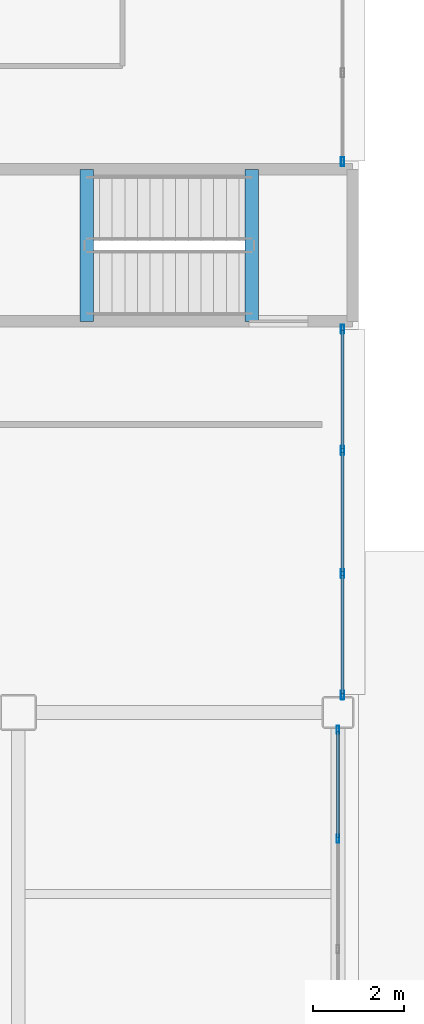
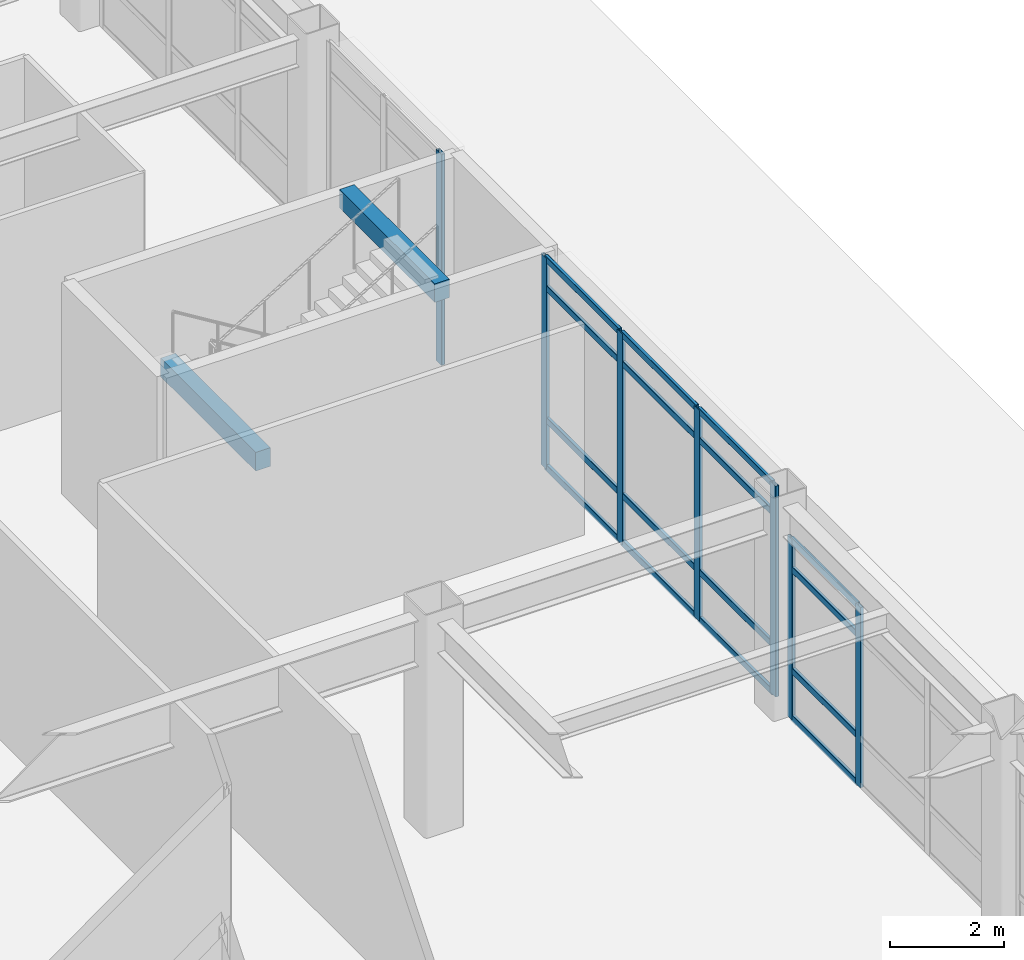
# One storey, part 114 of 172: 23 members, 2 beams, 3 elements without a shape of their own.
"""IFC4 building model written with IfcOpenShell, lengths in metres."""

from ifc_helpers import new_model, si_unit, direction, frame, origin, origin_2d, place, context, subcontext, project, spatial, rectangle, hollow_rectangle, extrude, material, layer, layer_set, material_profile, profile_set, type_object, element, aggregate, save


model = new_model("IFC4")

# Units and contexts
model_context = context("Model", 3, precision=1e-05, world=origin(), true_north=direction((0.0, 1.0)))
body_context = subcontext(model_context, "Body", "Model", "MODEL_VIEW")
ifc_project = project(units=[si_unit("LENGTHUNIT", "METRE"), si_unit("AREAUNIT", "SQUARE_METRE"), si_unit("VOLUMEUNIT", "CUBIC_METRE"), si_unit("PLANEANGLEUNIT", "RADIAN"), si_unit("MASSUNIT", "GRAM", prefix="KILO")], contexts=[model_context])

# Site, building, storey
site_placement = place(None, origin())
site = spatial("IfcSite", under=ifc_project, at=site_placement, CompositionType="ELEMENT")
building_placement = place(site_placement, origin())
building = spatial("IfcBuilding", under=site, at=building_placement, Name="Kazehara Bluff Congress Hotel", CompositionType="ELEMENT")
storey_placement = place(building_placement, frame((0.0, 0.0, 5.39990234375)))
storey = spatial("IfcBuildingStorey", under=building, at=storey_placement, Name="L01", CompositionType="ELEMENT", Elevation=5.39990234375)

# Curtain wall, members
ifc_material_1 = material(Name="Anodised aluminium", Category="aluminium")
ifc_layer_1 = layer(ifc_material_1, 0.159912109375)
ifc_layer_set_1 = layer_set([ifc_layer_1], Name="Anodised aluminium")
curtain_wall_type_1 = type_object("IfcCurtainWallType", Name="TP-CW-80", PredefinedType="NOTDEFINED", material=ifc_layer_set_1)
curtain_wall_1_placement = place(storey_placement, origin())
curtain_wall_1 = element("IfcCurtainWall", 1, at=curtain_wall_1_placement, inside=storey, type_object=curtain_wall_type_1, Name="L01 curtain wall CW-80 CW-V5-L01-X16755-5680", PredefinedType="NOTDEFINED")
ifc_material_2 = material(Name="Anodised aluminium", Category="aluminium")
ifc_material_profile_1 = material_profile(ifc_material_2, hollow_rectangle(XDim=0.06494140625, YDim=0.179931640625, WallThickness=0.00390625, InnerFilletRadius=0.00390625, OuterFilletRadius=0.008056640625, at=origin_2d()))
ifc_profile_set_1 = profile_set([ifc_material_profile_1], Name="Anodised aluminium")
member_type_1 = type_object("IfcMemberType", Name="TP-CWM-02", PredefinedType="MULLION", material=ifc_profile_set_1)
member_1_placement = place(storey_placement, frame((167.550048828125, 61.666748046875, 0.0), z_axis=(0.0, 0.0, 1.0), x_axis=(-1.0, 0.0, 0.0)))
member_1 = element("IfcMember", 2, at=member_1_placement, type_object=member_type_1, Name="CW-80 mullion 3", PredefinedType="MULLION", context=body_context, shape_type="SweptSolid", body=[
    extrude(hollow_rectangle(XDim=0.06494140625, YDim=0.179931640625, WallThickness=0.00390625, InnerFilletRadius=0.00390625, OuterFilletRadius=0.008056640625, at=origin_2d()), origin(), (0.0, 0.0, 1.0), 3.875),
])
member_2_placement = place(storey_placement, frame((167.550048828125, 64.0673828125, 0.0), z_axis=(0.0, 0.0, 1.0), x_axis=(-1.0, 0.0, 0.0)))
member_2 = element("IfcMember", 3, at=member_2_placement, type_object=member_type_1, Name="CW-80 mullion 4", PredefinedType="MULLION", context=body_context, shape_type="SweptSolid", body=[
    extrude(hollow_rectangle(XDim=0.06494140625, YDim=0.179931640625, WallThickness=0.00390625, InnerFilletRadius=0.00390625, OuterFilletRadius=0.008056640625, at=origin_2d()), origin(), (0.0, 0.0, 1.0), 3.875),
])

ifc_material_3 = material(Name="Anodised aluminium", Category="aluminium")
ifc_layer_2 = layer(ifc_material_3, 0.159912109375)
ifc_layer_set_2 = layer_set([ifc_layer_2], Name="Anodised aluminium")
curtain_wall_type_2 = type_object("IfcCurtainWallType", Name="TP-CW-115", PredefinedType="NOTDEFINED", material=ifc_layer_set_2)
curtain_wall_2_placement = place(storey_placement, origin())
curtain_wall_2 = element("IfcCurtainWall", 4, at=curtain_wall_2_placement, inside=storey, type_object=curtain_wall_type_2, Name="L01 curtain wall CW-115 CW-ENC-V5-L01-16765-6887", PredefinedType="NOTDEFINED")
ifc_material_4 = material(Name="Anodised aluminium", Category="aluminium")
ifc_material_profile_2 = material_profile(ifc_material_4, hollow_rectangle(XDim=0.070068359375, YDim=0.199951171875, WallThickness=0.0048828125, InnerFilletRadius=0.0048828125, OuterFilletRadius=0.010009765625, at=origin_2d()))
ifc_profile_set_2 = profile_set([ifc_material_profile_2], Name="Anodised aluminium")
member_type_2 = type_object("IfcMemberType", Name="TP-CWM-03", PredefinedType="MULLION", material=ifc_profile_set_2)
member_3_placement = place(storey_placement, frame((167.64990234375, 72.905029296875, 0.0), z_axis=(0.0, 0.0, 1.0), x_axis=(1.0, 0.0, 0.0)))
member_3 = element("IfcMember", 5, at=member_3_placement, type_object=member_type_2, Name="CW-115 mullion 1", PredefinedType="MULLION", context=body_context, shape_type="SweptSolid", body=[
    extrude(hollow_rectangle(XDim=0.070068359375, YDim=0.199951171875, WallThickness=0.0048828125, InnerFilletRadius=0.0048828125, OuterFilletRadius=0.010009765625, at=origin_2d()), origin(), (0.0, 0.0, 1.0), 4.53515625),
])
member_4_placement = place(storey_placement, frame((167.64990234375, 70.2265625, 0.0), z_axis=(0.0, 0.0, 1.0), x_axis=(1.0, 0.0, 0.0)))
member_4 = element("IfcMember", 6, at=member_4_placement, type_object=member_type_2, Name="CW-115 mullion 2", PredefinedType="MULLION", context=body_context, shape_type="SweptSolid", body=[
    extrude(hollow_rectangle(XDim=0.070068359375, YDim=0.199951171875, WallThickness=0.0048828125, InnerFilletRadius=0.0048828125, OuterFilletRadius=0.010009765625, at=origin_2d()), origin(), (0.0, 0.0, 1.0), 4.53515625),
])
member_5_placement = place(storey_placement, frame((167.64990234375, 67.513427734375, 0.0), z_axis=(0.0, 0.0, 1.0), x_axis=(1.0, 0.0, 0.0)))
member_5 = element("IfcMember", 7, at=member_5_placement, type_object=member_type_2, Name="CW-115 mullion 3", PredefinedType="MULLION", context=body_context, shape_type="SweptSolid", body=[
    extrude(hollow_rectangle(XDim=0.070068359375, YDim=0.199951171875, WallThickness=0.0048828125, InnerFilletRadius=0.0048828125, OuterFilletRadius=0.010009765625, at=origin_2d()), origin(), (0.0, 0.0, 1.0), 4.53515625),
])
member_6_placement = place(storey_placement, frame((167.64990234375, 64.8349609375, 0.0), z_axis=(0.0, 0.0, 1.0), x_axis=(1.0, 0.0, 0.0)))
member_6 = element("IfcMember", 8, at=member_6_placement, type_object=member_type_2, Name="CW-115 mullion 4", PredefinedType="MULLION", context=body_context, shape_type="SweptSolid", body=[
    extrude(hollow_rectangle(XDim=0.070068359375, YDim=0.199951171875, WallThickness=0.0048828125, InnerFilletRadius=0.0048828125, OuterFilletRadius=0.010009765625, at=origin_2d()), origin(), (0.0, 0.0, 1.0), 4.53515625),
])

# Curtain wall, member
ifc_material_5 = material(Name="Anodised aluminium", Category="aluminium")
ifc_layer_3 = layer(ifc_material_5, 0.159912109375)
ifc_layer_set_3 = layer_set([ifc_layer_3], Name="Anodised aluminium")
curtain_wall_type_3 = type_object("IfcCurtainWallType", Name="TP-CW-116", PredefinedType="NOTDEFINED", material=ifc_layer_set_3)
curtain_wall_3_placement = place(storey_placement, origin())
curtain_wall_3 = element("IfcCurtainWall", 9, at=curtain_wall_3_placement, inside=storey, type_object=curtain_wall_type_3, Name="L01 curtain wall CW-116 CW-ENC-V5-L01-16765-7856", PredefinedType="NOTDEFINED")
member_7_placement = place(storey_placement, frame((167.64990234375, 76.594970703125, 0.0), z_axis=(0.0, 0.0, 1.0), x_axis=(1.0, 0.0, 0.0)))
member_7 = element("IfcMember", 10, at=member_7_placement, type_object=member_type_2, Name="CW-116 mullion 3", PredefinedType="MULLION", context=body_context, shape_type="SweptSolid", body=[
    extrude(hollow_rectangle(XDim=0.070068359375, YDim=0.199951171875, WallThickness=0.0048828125, InnerFilletRadius=0.0048828125, OuterFilletRadius=0.010009765625, at=origin_2d()), origin(), (0.0, 0.0, 1.0), 4.53515625),
])
aggregate(curtain_wall_3, [member_7])

# Member
ifc_material_6 = material(Name="Anodised aluminium", Category="aluminium")
ifc_material_profile_3 = material_profile(ifc_material_6, hollow_rectangle(XDim=0.06494140625, YDim=0.139892578125, WallThickness=0.00390625, InnerFilletRadius=0.00390625, OuterFilletRadius=0.008056640625, at=origin_2d()))
ifc_profile_set_3 = profile_set([ifc_material_profile_3], Name="Anodised aluminium")
member_type_3 = type_object("IfcMemberType", Name="TP-CWT-02", PredefinedType="USERDEFINED", material=ifc_profile_set_3)
member_8_placement = place(storey_placement, frame((167.550048828125, 61.69921875, 0.03271484375), z_axis=(0.0, 1.0, 0.0), x_axis=(-1.0, 0.0, 0.0)))
member_8 = element("IfcMember", 11, at=member_8_placement, type_object=member_type_3, Name="CW-80 transom 3.1", ObjectType="TRANSOM", PredefinedType="USERDEFINED", context=body_context, shape_type="SweptSolid", body=[
    extrude(hollow_rectangle(XDim=0.06494140625, YDim=0.139892578125, WallThickness=0.00390625, InnerFilletRadius=0.00390625, OuterFilletRadius=0.008056640625, at=origin_2d()), origin(), (0.0, 0.0, 1.0), 2.335693359375),
])

member_9_placement = place(storey_placement, frame((167.550048828125, 61.69921875, 1.050048828125), z_axis=(0.0, 1.0, 0.0), x_axis=(-1.0, 0.0, 0.0)))
member_9 = element("IfcMember", 12, at=member_9_placement, type_object=member_type_3, Name="CW-80 transom 3.2", ObjectType="TRANSOM", PredefinedType="USERDEFINED", context=body_context, shape_type="SweptSolid", body=[
    extrude(hollow_rectangle(XDim=0.06494140625, YDim=0.139892578125, WallThickness=0.00390625, InnerFilletRadius=0.00390625, OuterFilletRadius=0.008056640625, at=origin_2d()), origin(), (0.0, 0.0, 1.0), 2.335693359375),
])

member_10_placement = place(storey_placement, frame((167.550048828125, 61.69921875, 3.22509765625), z_axis=(0.0, 1.0, 0.0), x_axis=(-1.0, 0.0, 0.0)))
member_10 = element("IfcMember", 13, at=member_10_placement, type_object=member_type_3, Name="CW-80 transom 3.3", ObjectType="TRANSOM", PredefinedType="USERDEFINED", context=body_context, shape_type="SweptSolid", body=[
    extrude(hollow_rectangle(XDim=0.06494140625, YDim=0.139892578125, WallThickness=0.00390625, InnerFilletRadius=0.00390625, OuterFilletRadius=0.008056640625, at=origin_2d()), origin(), (0.0, 0.0, 1.0), 2.335693359375),
])

member_11_placement = place(storey_placement, frame((167.550048828125, 61.69921875, 3.842529296875), z_axis=(0.0, 1.0, 0.0), x_axis=(-1.0, 0.0, 0.0)))
member_11 = element("IfcMember", 14, at=member_11_placement, type_object=member_type_3, Name="CW-80 transom 3.4", ObjectType="TRANSOM", PredefinedType="USERDEFINED", context=body_context, shape_type="SweptSolid", body=[
    extrude(hollow_rectangle(XDim=0.06494140625, YDim=0.139892578125, WallThickness=0.00390625, InnerFilletRadius=0.00390625, OuterFilletRadius=0.008056640625, at=origin_2d()), origin(), (0.0, 0.0, 1.0), 2.335693359375),
])

aggregate(curtain_wall_1, [member_1, member_2, member_8, member_9, member_10, member_11])

member_12_placement = place(storey_placement, frame((167.64990234375, 72.8701171875, 0.03271484375), z_axis=(0.0, -1.0, 0.0), x_axis=(1.0, 0.0, 0.0)))
member_12 = element("IfcMember", 15, at=member_12_placement, type_object=member_type_3, Name="CW-115 transom 1.1", ObjectType="TRANSOM", PredefinedType="USERDEFINED", context=body_context, shape_type="SweptSolid", body=[
    extrude(hollow_rectangle(XDim=0.06494140625, YDim=0.139892578125, WallThickness=0.00390625, InnerFilletRadius=0.00390625, OuterFilletRadius=0.008056640625, at=origin_2d()), origin(), (0.0, 0.0, 1.0), 2.6083984375),
])

member_13_placement = place(storey_placement, frame((167.64990234375, 72.8701171875, 1.050048828125), z_axis=(0.0, -1.0, 0.0), x_axis=(1.0, 0.0, 0.0)))
member_13 = element("IfcMember", 16, at=member_13_placement, type_object=member_type_3, Name="CW-115 transom 1.2", ObjectType="TRANSOM", PredefinedType="USERDEFINED", context=body_context, shape_type="SweptSolid", body=[
    extrude(hollow_rectangle(XDim=0.06494140625, YDim=0.139892578125, WallThickness=0.00390625, InnerFilletRadius=0.00390625, OuterFilletRadius=0.008056640625, at=origin_2d()), origin(), (0.0, 0.0, 1.0), 2.6083984375),
])

member_14_placement = place(storey_placement, frame((167.64990234375, 72.8701171875, 3.885009765625), z_axis=(0.0, -1.0, 0.0), x_axis=(1.0, 0.0, 0.0)))
member_14 = element("IfcMember", 17, at=member_14_placement, type_object=member_type_3, Name="CW-115 transom 1.3", ObjectType="TRANSOM", PredefinedType="USERDEFINED", context=body_context, shape_type="SweptSolid", body=[
    extrude(hollow_rectangle(XDim=0.06494140625, YDim=0.139892578125, WallThickness=0.00390625, InnerFilletRadius=0.00390625, OuterFilletRadius=0.008056640625, at=origin_2d()), origin(), (0.0, 0.0, 1.0), 2.6083984375),
])

member_15_placement = place(storey_placement, frame((167.64990234375, 72.8701171875, 4.502685546875), z_axis=(0.0, -1.0, 0.0), x_axis=(1.0, 0.0, 0.0)))
member_15 = element("IfcMember", 18, at=member_15_placement, type_object=member_type_3, Name="CW-115 transom 1.4", ObjectType="TRANSOM", PredefinedType="USERDEFINED", context=body_context, shape_type="SweptSolid", body=[
    extrude(hollow_rectangle(XDim=0.06494140625, YDim=0.139892578125, WallThickness=0.00390625, InnerFilletRadius=0.00390625, OuterFilletRadius=0.008056640625, at=origin_2d()), origin(), (0.0, 0.0, 1.0), 2.6083984375),
])

member_16_placement = place(storey_placement, frame((167.64990234375, 70.191650390625, 0.03271484375), z_axis=(0.0, -1.0, 0.0), x_axis=(1.0, 0.0, 0.0)))
member_16 = element("IfcMember", 19, at=member_16_placement, type_object=member_type_3, Name="CW-115 transom 2.1", ObjectType="TRANSOM", PredefinedType="USERDEFINED", context=body_context, shape_type="SweptSolid", body=[
    extrude(hollow_rectangle(XDim=0.06494140625, YDim=0.139892578125, WallThickness=0.00390625, InnerFilletRadius=0.00390625, OuterFilletRadius=0.008056640625, at=origin_2d()), origin(), (0.0, 0.0, 1.0), 2.643310546875),
])

member_17_placement = place(storey_placement, frame((167.64990234375, 70.191650390625, 1.050048828125), z_axis=(0.0, -1.0, 0.0), x_axis=(1.0, 0.0, 0.0)))
member_17 = element("IfcMember", 20, at=member_17_placement, type_object=member_type_3, Name="CW-115 transom 2.2", ObjectType="TRANSOM", PredefinedType="USERDEFINED", context=body_context, shape_type="SweptSolid", body=[
    extrude(hollow_rectangle(XDim=0.06494140625, YDim=0.139892578125, WallThickness=0.00390625, InnerFilletRadius=0.00390625, OuterFilletRadius=0.008056640625, at=origin_2d()), origin(), (0.0, 0.0, 1.0), 2.643310546875),
])

member_18_placement = place(storey_placement, frame((167.64990234375, 70.191650390625, 3.885009765625), z_axis=(0.0, -1.0, 0.0), x_axis=(1.0, 0.0, 0.0)))
member_18 = element("IfcMember", 21, at=member_18_placement, type_object=member_type_3, Name="CW-115 transom 2.3", ObjectType="TRANSOM", PredefinedType="USERDEFINED", context=body_context, shape_type="SweptSolid", body=[
    extrude(hollow_rectangle(XDim=0.06494140625, YDim=0.139892578125, WallThickness=0.00390625, InnerFilletRadius=0.00390625, OuterFilletRadius=0.008056640625, at=origin_2d()), origin(), (0.0, 0.0, 1.0), 2.643310546875),
])

member_19_placement = place(storey_placement, frame((167.64990234375, 70.191650390625, 4.502685546875), z_axis=(0.0, -1.0, 0.0), x_axis=(1.0, 0.0, 0.0)))
member_19 = element("IfcMember", 22, at=member_19_placement, type_object=member_type_3, Name="CW-115 transom 2.4", ObjectType="TRANSOM", PredefinedType="USERDEFINED", context=body_context, shape_type="SweptSolid", body=[
    extrude(hollow_rectangle(XDim=0.06494140625, YDim=0.139892578125, WallThickness=0.00390625, InnerFilletRadius=0.00390625, OuterFilletRadius=0.008056640625, at=origin_2d()), origin(), (0.0, 0.0, 1.0), 2.643310546875),
])

member_20_placement = place(storey_placement, frame((167.64990234375, 67.478271484375, 0.03271484375), z_axis=(0.0, -1.0, 0.0), x_axis=(1.0, 0.0, 0.0)))
member_20 = element("IfcMember", 23, at=member_20_placement, type_object=member_type_3, Name="CW-115 transom 3.1", ObjectType="TRANSOM", PredefinedType="USERDEFINED", context=body_context, shape_type="SweptSolid", body=[
    extrude(hollow_rectangle(XDim=0.06494140625, YDim=0.139892578125, WallThickness=0.00390625, InnerFilletRadius=0.00390625, OuterFilletRadius=0.008056640625, at=origin_2d()), origin(), (0.0, 0.0, 1.0), 2.608154296875),
])

member_21_placement = place(storey_placement, frame((167.64990234375, 67.478271484375, 1.050048828125), z_axis=(0.0, -1.0, 0.0), x_axis=(1.0, 0.0, 0.0)))
member_21 = element("IfcMember", 24, at=member_21_placement, type_object=member_type_3, Name="CW-115 transom 3.2", ObjectType="TRANSOM", PredefinedType="USERDEFINED", context=body_context, shape_type="SweptSolid", body=[
    extrude(hollow_rectangle(XDim=0.06494140625, YDim=0.139892578125, WallThickness=0.00390625, InnerFilletRadius=0.00390625, OuterFilletRadius=0.008056640625, at=origin_2d()), origin(), (0.0, 0.0, 1.0), 2.608154296875),
])

member_22_placement = place(storey_placement, frame((167.64990234375, 67.478271484375, 3.885009765625), z_axis=(0.0, -1.0, 0.0), x_axis=(1.0, 0.0, 0.0)))
member_22 = element("IfcMember", 25, at=member_22_placement, type_object=member_type_3, Name="CW-115 transom 3.3", ObjectType="TRANSOM", PredefinedType="USERDEFINED", context=body_context, shape_type="SweptSolid", body=[
    extrude(hollow_rectangle(XDim=0.06494140625, YDim=0.139892578125, WallThickness=0.00390625, InnerFilletRadius=0.00390625, OuterFilletRadius=0.008056640625, at=origin_2d()), origin(), (0.0, 0.0, 1.0), 2.608154296875),
])

member_23_placement = place(storey_placement, frame((167.64990234375, 67.478271484375, 4.502685546875), z_axis=(0.0, -1.0, 0.0), x_axis=(1.0, 0.0, 0.0)))
member_23 = element("IfcMember", 26, at=member_23_placement, type_object=member_type_3, Name="CW-115 transom 3.4", ObjectType="TRANSOM", PredefinedType="USERDEFINED", context=body_context, shape_type="SweptSolid", body=[
    extrude(hollow_rectangle(XDim=0.06494140625, YDim=0.139892578125, WallThickness=0.00390625, InnerFilletRadius=0.00390625, OuterFilletRadius=0.008056640625, at=origin_2d()), origin(), (0.0, 0.0, 1.0), 2.608154296875),
])

aggregate(curtain_wall_2, [member_3, member_4, member_5, member_6, member_12, member_13, member_14, member_15, member_16, member_17, member_18, member_19, member_20, member_21, member_22, member_23])

# Beams
ifc_material_7 = material(Name="Concrete C40/50", Category="concrete")
ifc_material_profile_4 = material_profile(ifc_material_7, rectangle(XDim=0.300048828125, YDim=0.39990234375, at=origin_2d()))
ifc_profile_set_4 = profile_set([ifc_material_profile_4], Name="Concrete C40/50")
beam_type = type_object("IfcBeamType", Name="TP-LN-02", PredefinedType="LINTEL", material=ifc_profile_set_4)
for number, where, z_axis, x_axis, name in (
    (27, (162.010009765625, 76.425048828125, 2.02001953125), (0.0, -1.0, 0.0), (1.0, 0.0, 0.0), "L01 ST-12 half-landing support beam 1"),
    (28, (165.64990234375, 76.425048828125, 4.3701171875), (0.0, -1.0, 0.0), (1.0, 0.0, 0.0), "L02 ST-12 stairwell trimmer beam"),
):
    element("IfcBeam", number, at=place(storey_placement, frame(where, z_axis=z_axis, x_axis=x_axis)), inside=storey, type_object=beam_type, Name=name, PredefinedType="LINTEL", context=body_context, shape_type="SweptSolid", body=[
        extrude(rectangle(XDim=0.300048828125, YDim=0.39990234375, at=origin_2d()), origin(), (0.0, 0.0, 1.0), 3.35009765625),
    ])

save(model, "model.ifc")
